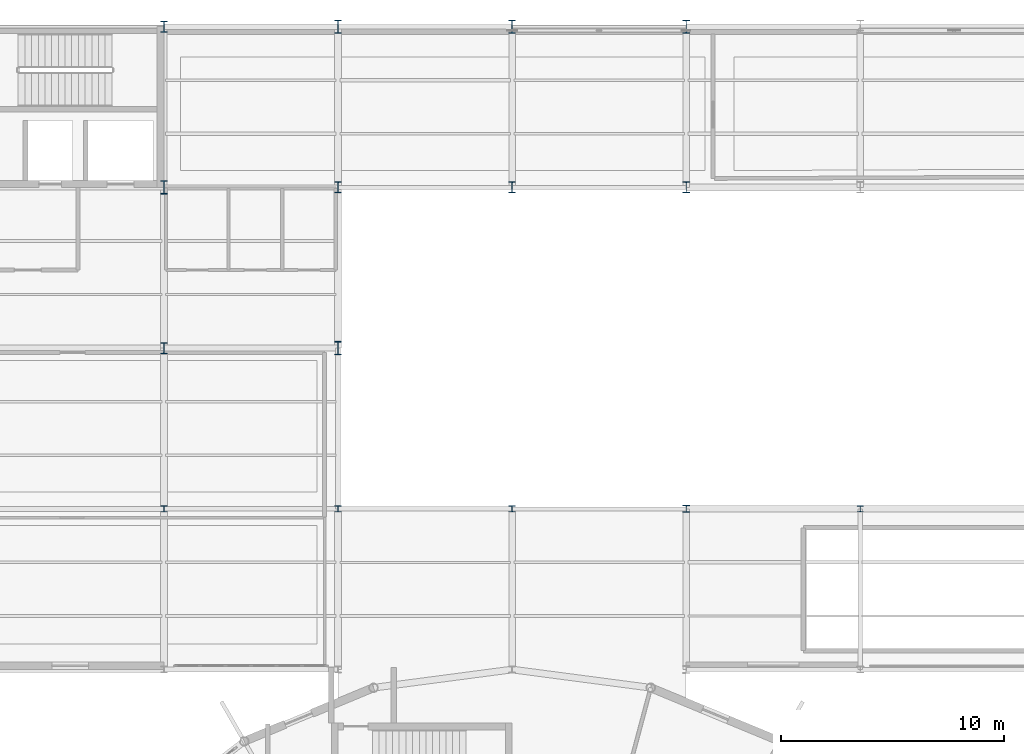
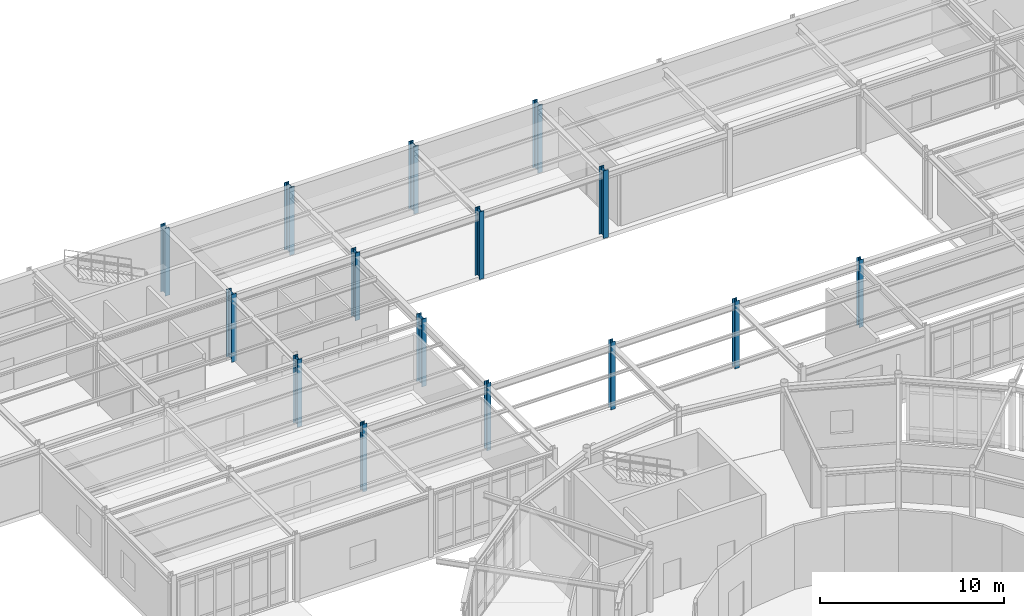
# One storey, part 17 of 101: 15 columns.
"""IFC4 building model written with IfcOpenShell, lengths in metres."""

from ifc_helpers import new_model, si_unit, derived_unit, direction, frame, origin, origin_2d, place, context, subcontext, project, spatial, i_section, extrude, material, material_profile, profile_set, type_object, element, save


model = new_model("IFC4")

# Units and contexts
model_context = context("Model", 3, precision=1e-05, world=origin(), true_north=direction((0.0, 1.0)))
body_context = subcontext(model_context, "Body", "Model", "MODEL_VIEW")
ifc_project = project(units=[si_unit("LENGTHUNIT", "METRE"), si_unit("AREAUNIT", "SQUARE_METRE"), si_unit("VOLUMEUNIT", "CUBIC_METRE"), si_unit("PLANEANGLEUNIT", "RADIAN"), si_unit("MASSUNIT", "GRAM", prefix="KILO"), derived_unit("THERMALTRANSMITTANCEUNIT", [(si_unit("POWERUNIT", "WATT"), 1), (si_unit("AREAUNIT", "SQUARE_METRE"), -1), (si_unit("THERMODYNAMICTEMPERATUREUNIT", "KELVIN"), -1)])], contexts=[model_context])

# Site, building, storey
site_placement = place(None, origin())
site = spatial("IfcSite", under=ifc_project, at=site_placement, CompositionType="ELEMENT")
building_placement = place(site_placement, origin())
building = spatial("IfcBuilding", under=site, at=building_placement, Name="Yasenodar Specialist Clinic", CompositionType="ELEMENT")
storey_placement = place(building_placement, origin())
storey = spatial("IfcBuildingStorey", under=building, at=storey_placement, Name="L00", CompositionType="ELEMENT", Elevation=0.0)

# Columns
ifc_material = material(Name="Steel S355", Category="steel")
ifc_material_profile_1 = material_profile(ifc_material, i_section(OverallWidth=0.280029296875, OverallDepth=0.280029296875, WebThickness=0.010498046875, FlangeThickness=0.01806640625, FilletRadius=0.02392578125, at=origin_2d()), Name="HEB 280")
ifc_profile_set_1 = profile_set([ifc_material_profile_1], Name="Steel S355")
column_type_1 = type_object("IfcColumnType", Name="COL-ST-HEB280", PredefinedType="COLUMN", material=ifc_profile_set_1)
for number, where, z_axis, x_axis, name in (
    (1, (65.39990234375, 90.0, 0.0), (0.0, 0.0, 1.0), (1.0, 0.0, 0.0), "L00 Column V5-094"),
    (2, (73.199951171875, 90.0, 0.0), (0.0, 0.0, 1.0), (1.0, 0.0, 0.0), "L00 Column V5-099"),
    (3, (81.0, 90.0, 0.0), (0.0, 0.0, 1.0), (1.0, 0.0, 0.0), "L00 Column V5-104"),
    (4, (96.60009765625, 90.0, 0.0), (0.0, 0.0, 1.0), (1.0, 0.0, 0.0), "L00 Column V5-114"),
):
    element("IfcColumn", number, at=place(storey_placement, frame(where, z_axis=z_axis, x_axis=x_axis)), inside=storey, type_object=column_type_1, Name=name, PredefinedType="COLUMN", context=body_context, shape_type="SweptSolid", body=[
        extrude(i_section(OverallWidth=0.280029296875, OverallDepth=0.280029296875, WebThickness=0.010498046875, FlangeThickness=0.01806640625, FilletRadius=0.02392578125, at=origin_2d()), origin(), (0.0, 0.0, 1.0), 4.5),
    ])
ifc_material_profile_2 = material_profile(ifc_material, i_section(OverallWidth=0.300048828125, OverallDepth=0.300048828125, WebThickness=0.010986328125, FlangeThickness=0.01904296875, FilletRadius=0.027099609375, at=origin_2d()), Name="HEB 300")
ifc_profile_set_2 = profile_set([ifc_material_profile_2], Name="Steel S355")
column_type_2 = type_object("IfcColumnType", Name="COL-ST-HEB300", PredefinedType="COLUMN", material=ifc_profile_set_2)
column_placement = place(storey_placement, frame((88.800048828125, 90.0, 0.0), z_axis=(0.0, 0.0, 1.0), x_axis=(1.0, 0.0, 0.0)))
element("IfcColumn", 5, at=column_placement, inside=storey, type_object=column_type_2, Name="L00 Column V5-108", PredefinedType="COLUMN", context=body_context, shape_type="SweptSolid", body=[
    extrude(i_section(OverallWidth=0.300048828125, OverallDepth=0.300048828125, WebThickness=0.010986328125, FlangeThickness=0.01904296875, FilletRadius=0.027099609375, at=origin_2d()), origin(), (0.0, 0.0, 1.0), 4.5),
])
ifc_material_profile_3 = material_profile(ifc_material, i_section(OverallWidth=0.300048828125, OverallDepth=0.5, WebThickness=0.014404296875, FlangeThickness=0.028076171875, FilletRadius=0.027099609375, at=origin_2d()), Name="HEB 500")
ifc_profile_set_3 = profile_set([ifc_material_profile_3], Name="Steel S355")
column_type_3 = type_object("IfcColumnType", Name="COL-ST-HEB500", PredefinedType="COLUMN", material=ifc_profile_set_3)
for number, where, z_axis, x_axis, name in (
    (6, (65.39990234375, 97.199951171875, 0.0), (0.0, 0.0, 1.0), (1.0, 0.0, 0.0), "L00 Column V5-095"),
    (7, (65.39990234375, 111.60009765625, 0.0), (0.0, 0.0, 1.0), (1.0, 0.0, 0.0), "L00 Column V5-097"),
    (8, (73.199951171875, 104.39990234375, 0.0), (0.0, 0.0, 1.0), (1.0, 0.0, 0.0), "L00 Column V5-101"),
    (9, (81.0, 104.39990234375, 0.0), (0.0, 0.0, 1.0), (1.0, 0.0, 0.0), "L00 Column V5-105"),
    (10, (88.800048828125, 104.39990234375, 0.0), (0.0, 0.0, 1.0), (1.0, 0.0, 0.0), "L00 Column V5-109"),
):
    element("IfcColumn", number, at=place(storey_placement, frame(where, z_axis=z_axis, x_axis=x_axis)), inside=storey, type_object=column_type_3, Name=name, PredefinedType="COLUMN", context=body_context, shape_type="SweptSolid", body=[
        extrude(i_section(OverallWidth=0.300048828125, OverallDepth=0.5, WebThickness=0.014404296875, FlangeThickness=0.028076171875, FilletRadius=0.027099609375, at=origin_2d()), origin(), (0.0, 0.0, 1.0), 4.5),
    ])
ifc_material_profile_4 = material_profile(ifc_material, i_section(OverallWidth=0.300048828125, OverallDepth=0.60009765625, WebThickness=0.015380859375, FlangeThickness=0.030029296875, FilletRadius=0.027099609375, at=origin_2d()), Name="HEB 600")
ifc_profile_set_4 = profile_set([ifc_material_profile_4], Name="Steel S355")
column_type_4 = type_object("IfcColumnType", Name="COL-ST-HEB600", PredefinedType="COLUMN", material=ifc_profile_set_4)
for number, where, z_axis, x_axis, name in (
    (11, (65.39990234375, 104.39990234375, 0.0), (0.0, 0.0, 1.0), (1.0, 0.0, 0.0), "L00 Column V5-096"),
    (12, (73.199951171875, 97.199951171875, 0.0), (0.0, 0.0, 1.0), (1.0, 0.0, 0.0), "L00 Column V5-100"),
    (13, (73.199951171875, 111.60009765625, 0.0), (0.0, 0.0, 1.0), (1.0, 0.0, 0.0), "L00 Column V5-102"),
    (14, (81.0, 111.60009765625, 0.0), (0.0, 0.0, 1.0), (1.0, 0.0, 0.0), "L00 Column V5-106"),
    (15, (88.800048828125, 111.60009765625, 0.0), (0.0, 0.0, 1.0), (1.0, 0.0, 0.0), "L00 Column V5-110"),
):
    element("IfcColumn", number, at=place(storey_placement, frame(where, z_axis=z_axis, x_axis=x_axis)), inside=storey, type_object=column_type_4, Name=name, PredefinedType="COLUMN", context=body_context, shape_type="SweptSolid", body=[
        extrude(i_section(OverallWidth=0.300048828125, OverallDepth=0.60009765625, WebThickness=0.015380859375, FlangeThickness=0.030029296875, FilletRadius=0.027099609375, at=origin_2d()), origin(), (0.0, 0.0, 1.0), 4.5),
    ])

save(model, "model.ifc")
